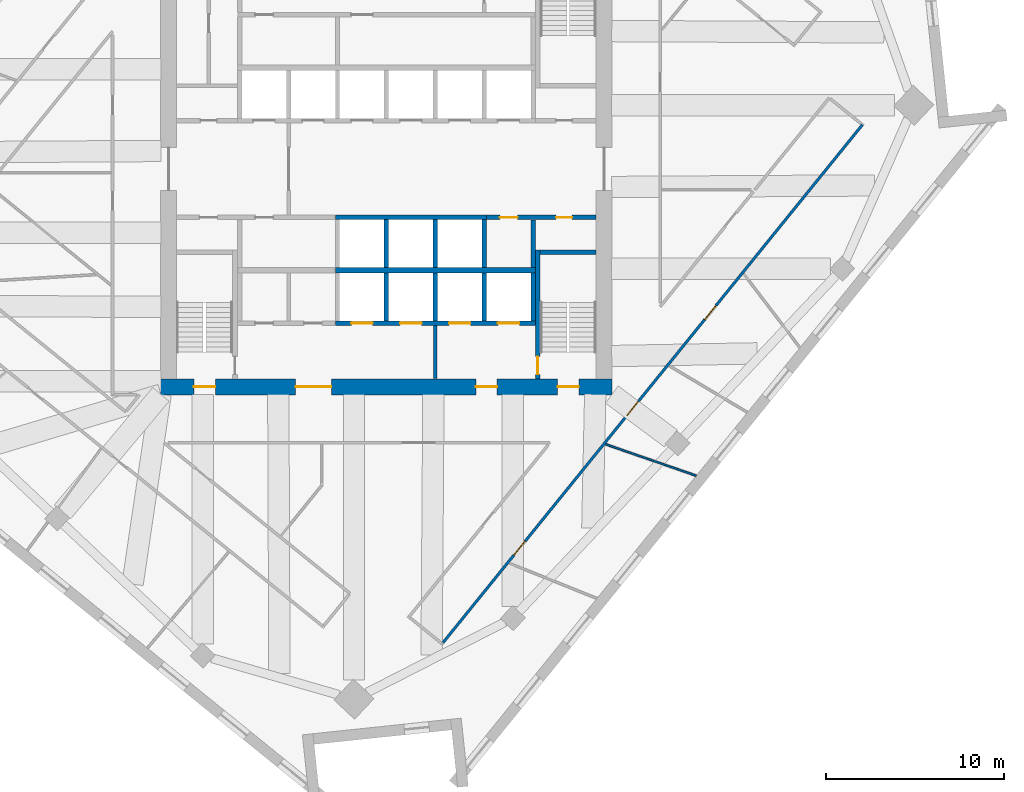
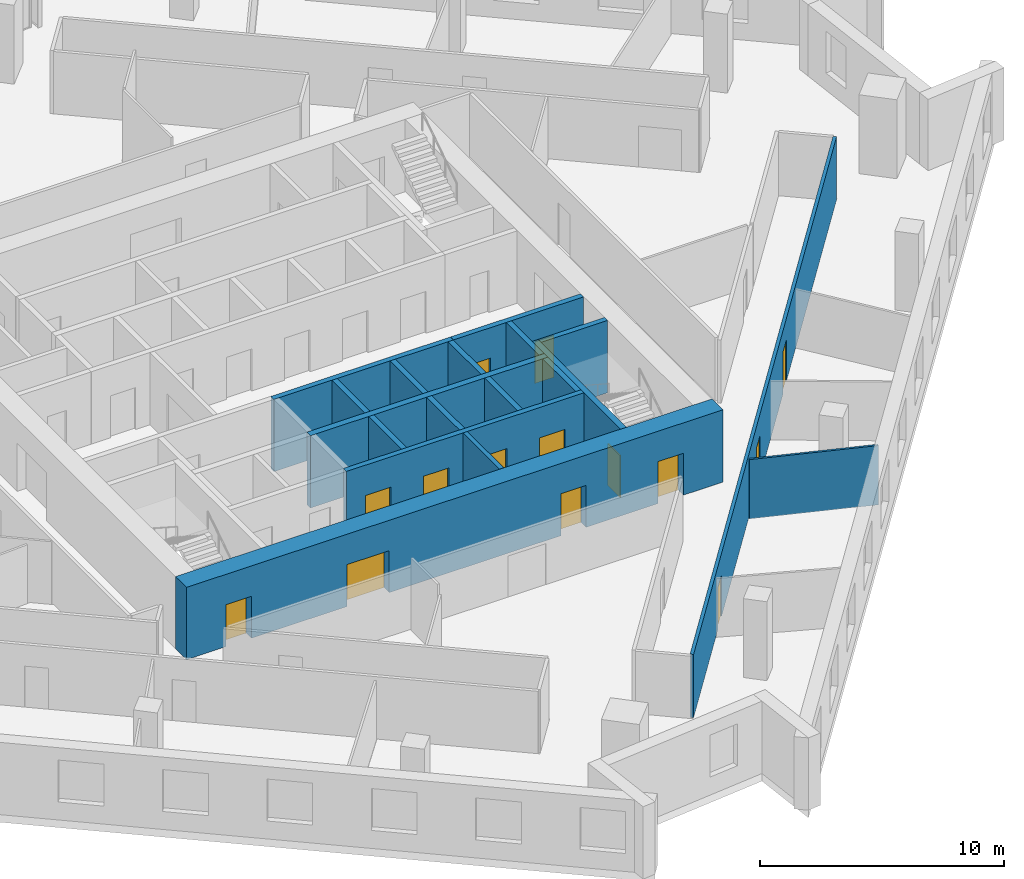
# One storey, part 8 of 14: 18 walls, 14 doors, 14 openings.
"""IFC4 building model written with IfcOpenShell, lengths in metres."""

from ifc_helpers import new_model, si_unit, direction, frame, frame_2d, origin, place, context, subcontext, project, spatial, rectangle, extrude, material, layer, layer_set, type_object, element, fill, save


model = new_model("IFC4")

# Units and contexts
model_context = context("Model", 3, precision=1e-05, world=origin(), true_north=direction((0.0, 1.0)))
body_context = subcontext(model_context, "Body", "Model", "MODEL_VIEW")
ifc_project = project(units=[si_unit("LENGTHUNIT", "METRE"), si_unit("AREAUNIT", "SQUARE_METRE"), si_unit("VOLUMEUNIT", "CUBIC_METRE"), si_unit("PLANEANGLEUNIT", "RADIAN"), si_unit("MASSUNIT", "GRAM", prefix="KILO")], contexts=[model_context])

# Site, building, storey
site_placement = place(None, origin())
site = spatial("IfcSite", under=ifc_project, at=site_placement, CompositionType="ELEMENT")
building_placement = place(site_placement, origin())
building = spatial("IfcBuilding", under=site, at=building_placement, Name="Dilmun Exchange Tower", CompositionType="ELEMENT")
storey_placement = place(building_placement, frame((0.0, 0.0, 233.300048828125)))
storey = spatial("IfcBuildingStorey", under=building, at=storey_placement, Name="L55", CompositionType="ELEMENT", Elevation=233.300048828125)

# Walls
ifc_material_1 = material(Name="Concrete C40/50", Category="concrete")
ifc_layer_1 = layer(ifc_material_1, 0.199951171875)
ifc_layer_set_1 = layer_set([ifc_layer_1], Name="Concrete C40/50")
wall_type_1 = type_object("IfcWallType", Name="Core partition wall 200", PredefinedType="PARTITIONING", material=ifc_layer_set_1)
wall_1_placement = place(storey_placement, frame((2.75, -11.794921875, 0.0), z_axis=(0.0, 0.0, 1.0), x_axis=(0.0, 1.0, 0.0)))
element("IfcWall", 1, at=wall_1_placement, inside=storey, type_object=wall_type_1, Name="L55 core partition wall 01", PredefinedType="PARTITIONING", context=body_context, shape_type="SweptSolid", body=[
    extrude(rectangle(XDim=2.989990234375, YDim=0.199951171875, at=frame_2d((1.4951171875, 0.0))), origin(), (0.0, 0.0, 1.0), 3.619873046875),
])
ifc_layer_2 = layer(ifc_material_1, 0.25)
ifc_layer_set_2 = layer_set([ifc_layer_2], Name="Concrete C40/50")
wall_type_2 = type_object("IfcWallType", Name="Core partition wall 250", PredefinedType="PARTITIONING", material=ifc_layer_set_2)
wall_2_placement = place(storey_placement, frame((8.25, -5.544921875, 0.0), z_axis=(0.0, 0.0, 1.0), x_axis=(0.0, 1.0, 0.0)))
element("IfcWall", 2, at=wall_2_placement, inside=storey, type_object=wall_type_2, Name="L55 core partition wall 07", PredefinedType="PARTITIONING", context=body_context, shape_type="SweptSolid", body=[
    extrude(rectangle(XDim=2.68994140625, YDim=0.25, at=frame_2d((1.344970703125, 0.0))), origin(), (0.0, 0.0, 1.0), 3.619873046875),
])

# Wall, openings, doors
wall_3_placement = place(storey_placement, frame((5.6298828125, -2.72509765625, 0.0), z_axis=(0.0, 0.0, 1.0), x_axis=(1.0, 0.0, 0.0)))
wall_3 = element("IfcWall", 3, at=wall_3_placement, inside=storey, type_object=wall_type_2, Name="L55 core partition wall 09", PredefinedType="PARTITIONING", context=body_context, shape_type="SweptSolid", body=[
    extrude(rectangle(XDim=6.1650390625, YDim=0.25, at=frame_2d((3.08251953125, 0.0))), origin(), (0.0, 0.0, 1.0), 3.619873046875),
])
opening_1_placement = place(wall_3_placement, frame((0.7451171875, 0.0, 0.0)))
opening_1 = element("IfcOpeningElement", 4, at=opening_1_placement, cuts=wall_3, Name="Opening CD4", PredefinedType="OPENING", context=body_context, shape_type="SweptSolid", body=[
    extrude(rectangle(XDim=1.0, YDim=2.10009765625, at=frame_2d((0.5, 1.050048828125))), frame((0.0, 0.135009765625, 0.0), z_axis=(0.0, -1.0, 0.0), x_axis=(1.0, 0.0, 0.0)), (0.0, 0.0, 1.0), 0.27001953125),
])
opening_2_placement = place(wall_3_placement, frame((3.919921875, 0.0, 0.0)))
opening_2 = element("IfcOpeningElement", 5, at=opening_2_placement, cuts=wall_3, Name="Opening CD6", PredefinedType="OPENING", context=body_context, shape_type="SweptSolid", body=[
    extrude(rectangle(XDim=0.89990234375, YDim=2.10009765625, at=frame_2d((0.449951171875, 1.050048828125))), frame((0.0, 0.135009765625, 0.0), z_axis=(0.0, -1.0, 0.0), x_axis=(1.0, 0.0, 0.0)), (0.0, 0.0, 1.0), 0.27001953125),
])
ifc_material_2 = material(Name="Fire-rated steel door set", Category="steel")
door_type_1 = type_object("IfcDoorType", Name="Core room door 1000x2100", OperationType="SINGLE_SWING_LEFT", PredefinedType="DOOR", material=ifc_material_2)
door_1_placement = place(opening_1_placement, origin())
door_1 = element("IfcDoor", 6, at=door_1_placement, inside=storey, type_object=door_type_1, Name="L55 door Cleaners' store", OperationType="SINGLE_SWING_RIGHT", OverallHeight=2.10009765625, OverallWidth=1.0, PredefinedType="DOOR", context=body_context, shape_type="SweptSolid", body=[
    extrude(rectangle(XDim=1.0, YDim=2.10009765625, at=frame_2d((0.5, 1.050048828125))), frame((0.0, 0.02490234375, 0.0), z_axis=(0.0, -1.0, 0.0), x_axis=(1.0, 0.0, 0.0)), (0.0, 0.0, 1.0), 0.050048828125),
])
fill(opening_1, door_1)
door_type_2 = type_object("IfcDoorType", Name="Core room door 900x2100", OperationType="SINGLE_SWING_LEFT", PredefinedType="DOOR", material=ifc_material_2)
door_2_placement = place(opening_2_placement, origin())
door_2 = element("IfcDoor", 7, at=door_2_placement, inside=storey, type_object=door_type_2, Name="L55 door Comms riser", OperationType="SINGLE_SWING_RIGHT", OverallHeight=2.10009765625, OverallWidth=0.89990234375, PredefinedType="DOOR", context=body_context, shape_type="SweptSolid", body=[
    extrude(rectangle(XDim=0.89990234375, YDim=2.10009765625, at=frame_2d((0.449951171875, 1.050048828125))), frame((0.0, 0.02490234375, 0.0), z_axis=(0.0, -1.0, 0.0), x_axis=(1.0, 0.0, 0.0)), (0.0, 0.0, 1.0), 0.050048828125),
])
fill(opening_2, door_2)

ifc_material_3 = material(Name="Concrete C60/75", Category="concrete")
ifc_layer_3 = layer(ifc_material_3, 0.89990234375)
ifc_layer_set_3 = layer_set([ifc_layer_3], Name="Concrete C60/75")
wall_type_3 = type_object("IfcWallType", Name="Core shear wall 900 Concrete C60/75", PredefinedType="SHEAR", material=ifc_layer_set_3)
wall_4_placement = place(storey_placement, frame((-12.699951171875, -12.25, 0.0), z_axis=(0.0, 0.0, 1.0), x_axis=(1.0, 0.0, 0.0)))
wall_4 = element("IfcWall", 8, at=wall_4_placement, inside=storey, type_object=wall_type_3, Name="L55 core shear wall S", PredefinedType="SHEAR", context=body_context, shape_type="SweptSolid", body=[
    extrude(rectangle(XDim=25.39990234375, YDim=0.89990234375, at=frame_2d((12.699951171875, 0.0))), origin(), (0.0, 0.0, 1.0), 3.619873046875),
])
opening_3_placement = place(wall_4_placement, frame((7.60009765625, 0.0, 0.0)))
opening_3 = element("IfcOpeningElement", 9, at=opening_3_placement, cuts=wall_4, Name="Opening CD2", PredefinedType="OPENING", context=body_context, shape_type="SweptSolid", body=[
    extrude(rectangle(XDim=2.0, YDim=2.10009765625, at=frame_2d((1.0, 1.050048828125))), frame((0.0, 0.4599609375, 0.0), z_axis=(0.0, -1.0, 0.0), x_axis=(1.0, 0.0, 0.0)), (0.0, 0.0, 1.0), 0.919921875),
])
opening_4_placement = place(wall_4_placement, frame((17.72509765625, 0.0, 0.0)))
opening_4 = element("IfcOpeningElement", 10, at=opening_4_placement, cuts=wall_4, Name="Opening CD3", PredefinedType="OPENING", context=body_context, shape_type="SweptSolid", body=[
    extrude(rectangle(XDim=1.199951171875, YDim=2.10009765625, at=frame_2d((0.60009765625, 1.050048828125))), frame((0.0, 0.4599609375, 0.0), z_axis=(0.0, -1.0, 0.0), x_axis=(1.0, 0.0, 0.0)), (0.0, 0.0, 1.0), 0.919921875),
])
opening_5_placement = place(wall_4_placement, frame((1.875, 0.0, 0.0)))
opening_5 = element("IfcOpeningElement", 11, at=opening_5_placement, cuts=wall_4, Name="Opening CD3", PredefinedType="OPENING", context=body_context, shape_type="SweptSolid", body=[
    extrude(rectangle(XDim=1.199951171875, YDim=2.10009765625, at=frame_2d((0.60009765625, 1.050048828125))), frame((0.0, 0.4599609375, 0.0), z_axis=(0.0, -1.0, 0.0), x_axis=(1.0, 0.0, 0.0)), (0.0, 0.0, 1.0), 0.919921875),
])
opening_6_placement = place(wall_4_placement, frame((22.324951171875, 0.0, 0.0)))
opening_6 = element("IfcOpeningElement", 12, at=opening_6_placement, cuts=wall_4, Name="Opening CD3", PredefinedType="OPENING", context=body_context, shape_type="SweptSolid", body=[
    extrude(rectangle(XDim=1.199951171875, YDim=2.10009765625, at=frame_2d((0.60009765625, 1.050048828125))), frame((0.0, 0.4599609375, 0.0), z_axis=(0.0, -1.0, 0.0), x_axis=(1.0, 0.0, 0.0)), (0.0, 0.0, 1.0), 0.919921875),
])
door_type_3 = type_object("IfcDoorType", Name="Core service door 2000x2100", OperationType="DOUBLE_DOOR_DOUBLE_SWING", PredefinedType="DOOR", material=ifc_material_2)
door_3_placement = place(opening_3_placement, origin())
door_3 = element("IfcDoor", 13, at=door_3_placement, inside=storey, type_object=door_type_3, Name="L55 door South service lobby", OperationType="SINGLE_SWING_LEFT", OverallHeight=2.10009765625, OverallWidth=2.0, PredefinedType="DOOR", context=body_context, shape_type="SweptSolid", body=[
    extrude(rectangle(XDim=2.0, YDim=2.10009765625, at=frame_2d((1.0, 1.050048828125))), frame((0.0, 0.02490234375, 0.0), z_axis=(0.0, -1.0, 0.0), x_axis=(1.0, 0.0, 0.0)), (0.0, 0.0, 1.0), 0.050048828125),
])
fill(opening_3, door_3)
door_type_4 = type_object("IfcDoorType", Name="Stair exit door 1200x2100", OperationType="SINGLE_SWING_LEFT", PredefinedType="DOOR", material=ifc_material_2)
door_4_placement = place(opening_4_placement, origin())
door_4 = element("IfcDoor", 14, at=door_4_placement, inside=storey, type_object=door_type_4, Name="L55 door Fire-fighting lobby", OperationType="SINGLE_SWING_LEFT", OverallHeight=2.10009765625, OverallWidth=1.199951171875, PredefinedType="DOOR", context=body_context, shape_type="SweptSolid", body=[
    extrude(rectangle(XDim=1.199951171875, YDim=2.10009765625, at=frame_2d((0.60009765625, 1.050048828125))), frame((0.0, 0.02490234375, 0.0), z_axis=(0.0, -1.0, 0.0), x_axis=(1.0, 0.0, 0.0)), (0.0, 0.0, 1.0), 0.050048828125),
])
fill(opening_4, door_4)
door_5_placement = place(opening_5_placement, origin())
door_5 = element("IfcDoor", 15, at=door_5_placement, inside=storey, type_object=door_type_4, Name="L55 door Stair ST2", OperationType="SINGLE_SWING_LEFT", OverallHeight=2.10009765625, OverallWidth=1.199951171875, PredefinedType="DOOR", context=body_context, shape_type="SweptSolid", body=[
    extrude(rectangle(XDim=1.199951171875, YDim=2.10009765625, at=frame_2d((0.60009765625, 1.050048828125))), frame((0.0, 0.02490234375, 0.0), z_axis=(0.0, -1.0, 0.0), x_axis=(1.0, 0.0, 0.0)), (0.0, 0.0, 1.0), 0.050048828125),
])
fill(opening_5, door_5)
door_6_placement = place(opening_6_placement, origin())
door_6 = element("IfcDoor", 16, at=door_6_placement, inside=storey, type_object=door_type_4, Name="L55 door Stair ST3", OperationType="SINGLE_SWING_LEFT", OverallHeight=2.10009765625, OverallWidth=1.199951171875, PredefinedType="DOOR", context=body_context, shape_type="SweptSolid", body=[
    extrude(rectangle(XDim=1.199951171875, YDim=2.10009765625, at=frame_2d((0.60009765625, 1.050048828125))), frame((0.0, 0.02490234375, 0.0), z_axis=(0.0, -1.0, 0.0), x_axis=(1.0, 0.0, 0.0)), (0.0, 0.0, 1.0), 0.050048828125),
])
fill(opening_6, door_6)

ifc_material_4 = material(Name="Corridor wall 150")
ifc_layer_4 = layer(ifc_material_4, 0.14990234375)
ifc_layer_set_4 = layer_set([ifc_layer_4], Name="Corridor wall 150")
wall_type_4 = type_object("IfcWallType", Name="Corridor wall 150", PredefinedType="PARTITIONING", material=ifc_layer_set_4)
wall_5_placement = place(storey_placement, frame((3.18017578125, -26.642578125, 0.0), z_axis=(0.0, 0.0, 1.0), x_axis=(0.629322822444, 0.777143992547, 0.0)))
wall_5 = element("IfcWall", 17, at=wall_5_placement, inside=storey, type_object=wall_type_4, Name="Corridor wall", PredefinedType="PARTITIONING", context=body_context, shape_type="SweptSolid", body=[
    extrude(rectangle(XDim=37.48291015625, YDim=0.14990234375, at=frame_2d((18.741455078125, 0.0))), origin(), (0.0, 0.0, 1.0), 3.169921875),
])
opening_7_placement = place(wall_5_placement, frame((6.346435546875, 0.0, 0.0)))
opening_7 = element("IfcOpeningElement", 18, at=opening_7_placement, cuts=wall_5, Name="Opening TF53-D16", PredefinedType="OPENING", context=body_context, shape_type="SweptSolid", body=[
    extrude(rectangle(XDim=1.0, YDim=2.10009765625, at=frame_2d((0.5, 1.050048828125))), frame((0.0, 0.0849609375, 0.0), z_axis=(0.0, -1.0, 0.0), x_axis=(1.0, 0.0, 0.0)), (0.0, 0.0, 1.0), 0.169921875),
])
opening_8_placement = place(wall_5_placement, frame((16.4521484375, 0.0, 0.0)))
opening_8 = element("IfcOpeningElement", 19, at=opening_8_placement, cuts=wall_5, Name="Opening TF53-D19", PredefinedType="OPENING", context=body_context, shape_type="SweptSolid", body=[
    extrude(rectangle(XDim=1.0, YDim=2.10009765625, at=frame_2d((0.5, 1.050048828125))), frame((0.0, 0.0849609375, 0.0), z_axis=(0.0, -1.0, 0.0), x_axis=(1.0, 0.0, 0.0)), (0.0, 0.0, 1.0), 0.169921875),
])
opening_9_placement = place(wall_5_placement, frame((23.399658203125, 0.0, 0.0)))
opening_9 = element("IfcOpeningElement", 20, at=opening_9_placement, cuts=wall_5, Name="Opening TF53-D21", PredefinedType="OPENING", context=body_context, shape_type="SweptSolid", body=[
    extrude(rectangle(XDim=1.0, YDim=2.10009765625, at=frame_2d((0.5, 1.050048828125))), frame((0.0, 0.0849609375, 0.0), z_axis=(0.0, -1.0, 0.0), x_axis=(1.0, 0.0, 0.0)), (0.0, 0.0, 1.0), 0.169921875),
])
ifc_material_5 = material(Name="Fire door 1000 x 2100")
door_type_5 = type_object("IfcDoorType", Name="Fire door 1000 x 2100", OperationType="NOTDEFINED", PredefinedType="DOOR", material=ifc_material_5)
door_7_placement = place(opening_7_placement, frame((1.0, 0.0, 0.0), z_axis=(0.0, 0.0, 1.0), x_axis=(-1.0, 0.0, 0.0)))
door_7 = element("IfcDoor", 21, at=door_7_placement, inside=storey, type_object=door_type_5, Name="Door TF53-D16", OperationType="SINGLE_SWING_RIGHT", OverallHeight=2.10009765625, OverallWidth=1.0, PredefinedType="DOOR", context=body_context, shape_type="SweptSolid", body=[
    extrude(rectangle(XDim=1.0, YDim=2.10009765625, at=frame_2d((0.5, 1.050048828125))), frame((0.0, 0.02490234375, 0.0), z_axis=(0.0, -1.0, 0.0), x_axis=(1.0, 0.0, 0.0)), (0.0, 0.0, 1.0), 0.050048828125),
])
fill(opening_7, door_7)
door_8_placement = place(opening_8_placement, frame((1.0, 0.0, 0.0), z_axis=(0.0, 0.0, 1.0), x_axis=(-1.0, 0.0, 0.0)))
door_8 = element("IfcDoor", 22, at=door_8_placement, inside=storey, type_object=door_type_5, Name="Door TF53-D19", OperationType="SINGLE_SWING_RIGHT", OverallHeight=2.10009765625, OverallWidth=1.0, PredefinedType="DOOR", context=body_context, shape_type="SweptSolid", body=[
    extrude(rectangle(XDim=1.0, YDim=2.10009765625, at=frame_2d((0.5, 1.050048828125))), frame((0.0, 0.02490234375, 0.0), z_axis=(0.0, -1.0, 0.0), x_axis=(1.0, 0.0, 0.0)), (0.0, 0.0, 1.0), 0.050048828125),
])
fill(opening_8, door_8)
door_9_placement = place(opening_9_placement, frame((1.0, 0.0, 0.0), z_axis=(0.0, 0.0, 1.0), x_axis=(-1.0, 0.0, 0.0)))
door_9 = element("IfcDoor", 23, at=door_9_placement, inside=storey, type_object=door_type_5, Name="Door TF53-D21", OperationType="SINGLE_SWING_LEFT", OverallHeight=2.10009765625, OverallWidth=1.0, PredefinedType="DOOR", context=body_context, shape_type="SweptSolid", body=[
    extrude(rectangle(XDim=1.0, YDim=2.10009765625, at=frame_2d((0.5, 1.050048828125))), frame((0.0, 0.02490234375, 0.0), z_axis=(0.0, -1.0, 0.0), x_axis=(1.0, 0.0, 0.0)), (0.0, 0.0, 1.0), 0.050048828125),
])
fill(opening_9, door_9)

# Walls
ifc_layer_5 = layer(ifc_material_1, 0.300048828125)
ifc_layer_set_5 = layer_set([ifc_layer_5], Name="Concrete C40/50")
wall_type_5 = type_object("IfcWallType", Name="Lift shaft shared wall 300", PredefinedType="SOLIDWALL", material=ifc_layer_set_5)
wall_6_placement = place(storey_placement, frame((-2.875, -5.699951171875, 0.0), z_axis=(0.0, 0.0, 1.0), x_axis=(1.0, 0.0, 0.0)))
element("IfcWall", 24, at=wall_6_placement, inside=storey, type_object=wall_type_5, Name="L55 lift shaft rear wall S", PredefinedType="SOLIDWALL", context=body_context, shape_type="SweptSolid", body=[
    extrude(rectangle(XDim=11.25, YDim=0.300048828125, at=frame_2d((5.625, 0.0))), origin(), (0.0, 0.0, 1.0), 3.619873046875),
])
ifc_layer_6 = layer(ifc_material_1, 0.25)
ifc_layer_set_6 = layer_set([ifc_layer_6], Name="Concrete C40/50")
wall_type_6 = type_object("IfcWallType", Name="Lift shaft wall 250", PredefinedType="SOLIDWALL", material=ifc_layer_set_6)
wall_7_placement = place(storey_placement, frame((-2.875, -2.72509765625, 0.0), z_axis=(0.0, 0.0, 1.0), x_axis=(1.0, 0.0, 0.0)))
element("IfcWall", 25, at=wall_7_placement, inside=storey, type_object=wall_type_6, Name="L55 lift shaft front wall S1", PredefinedType="SOLIDWALL", context=body_context, shape_type="SweptSolid", body=[
    extrude(rectangle(XDim=8.5, YDim=0.25, at=frame_2d((4.25, 0.0))), origin(), (0.0, 0.0, 1.0), 3.619873046875),
])
for number, where, z_axis, x_axis, name in (
    (26, (0.0, -5.550048828125, 0.0), (0.0, 0.0, 1.0), (0.0, 1.0, 0.0), "L55 lift shaft divider S13"),
    (27, (2.75, -5.550048828125, 0.0), (0.0, 0.0, 1.0), (0.0, 1.0, 0.0), "L55 lift shaft divider S14"),
    (28, (5.5, -5.550048828125, 0.0), (0.0, 0.0, 1.0), (0.0, 1.0, 0.0), "L55 lift shaft divider S15"),
):
    element("IfcWall", number, at=place(storey_placement, frame(where, z_axis=z_axis, x_axis=x_axis)), inside=storey, type_object=wall_type_6, Name=name, PredefinedType="SOLIDWALL", context=body_context, shape_type="SweptSolid", body=[
        extrude(rectangle(XDim=2.699951171875, YDim=0.25, at=frame_2d((1.35009765625, 0.0))), origin(), (0.0, 0.0, 1.0), 3.619873046875),
    ])

# Wall, openings, doors
wall_8_placement = place(storey_placement, frame((-2.875, -8.675048828125, 0.0), z_axis=(0.0, 0.0, 1.0), x_axis=(1.0, 0.0, 0.0)))
wall_8 = element("IfcWall", 29, at=wall_8_placement, inside=storey, type_object=wall_type_6, Name="L55 lift shaft front wall S2", PredefinedType="SOLIDWALL", context=body_context, shape_type="SweptSolid", body=[
    extrude(rectangle(XDim=11.25, YDim=0.25, at=frame_2d((5.625, 0.0))), origin(), (0.0, 0.0, 1.0), 3.619873046875),
])
opening_10_placement = place(wall_8_placement, frame((0.89990234375, 0.0, 0.0)))
opening_10 = element("IfcOpeningElement", 30, at=opening_10_placement, cuts=wall_8, Name="Opening LD", PredefinedType="OPENING", context=body_context, shape_type="SweptSolid", body=[
    extrude(rectangle(XDim=1.199951171875, YDim=2.10009765625, at=frame_2d((0.60009765625, 1.050048828125))), frame((0.0, 0.135009765625, 0.0), z_axis=(0.0, -1.0, 0.0), x_axis=(1.0, 0.0, 0.0)), (0.0, 0.0, 1.0), 0.27001953125),
])
opening_11_placement = place(wall_8_placement, frame((3.64990234375, 0.0, 0.0)))
opening_11 = element("IfcOpeningElement", 31, at=opening_11_placement, cuts=wall_8, Name="Opening LD", PredefinedType="OPENING", context=body_context, shape_type="SweptSolid", body=[
    extrude(rectangle(XDim=1.199951171875, YDim=2.10009765625, at=frame_2d((0.60009765625, 1.050048828125))), frame((0.0, 0.135009765625, 0.0), z_axis=(0.0, -1.0, 0.0), x_axis=(1.0, 0.0, 0.0)), (0.0, 0.0, 1.0), 0.27001953125),
])
opening_12_placement = place(wall_8_placement, frame((6.39990234375, 0.0, 0.0)))
opening_12 = element("IfcOpeningElement", 32, at=opening_12_placement, cuts=wall_8, Name="Opening LD", PredefinedType="OPENING", context=body_context, shape_type="SweptSolid", body=[
    extrude(rectangle(XDim=1.199951171875, YDim=2.10009765625, at=frame_2d((0.60009765625, 1.050048828125))), frame((0.0, 0.135009765625, 0.0), z_axis=(0.0, -1.0, 0.0), x_axis=(1.0, 0.0, 0.0)), (0.0, 0.0, 1.0), 0.27001953125),
])
opening_13_placement = place(wall_8_placement, frame((9.14990234375, 0.0, 0.0)))
opening_13 = element("IfcOpeningElement", 33, at=opening_13_placement, cuts=wall_8, Name="Opening LD", PredefinedType="OPENING", context=body_context, shape_type="SweptSolid", body=[
    extrude(rectangle(XDim=1.199951171875, YDim=2.10009765625, at=frame_2d((0.60009765625, 1.050048828125))), frame((0.0, 0.135009765625, 0.0), z_axis=(0.0, -1.0, 0.0), x_axis=(1.0, 0.0, 0.0)), (0.0, 0.0, 1.0), 0.27001953125),
])
door_type_6 = type_object("IfcDoorType", Name="Lift landing door 1200x2100", OperationType="DOUBLE_DOOR_SLIDING", PredefinedType="DOOR", material=ifc_material_2)
door_10_placement = place(opening_10_placement, origin())
door_10 = element("IfcDoor", 34, at=door_10_placement, inside=storey, type_object=door_type_6, Name="L55 landing door SV1", OperationType="DOUBLE_DOOR_SLIDING", OverallHeight=2.10009765625, OverallWidth=1.199951171875, PredefinedType="DOOR", context=body_context, shape_type="SweptSolid", body=[
    extrude(rectangle(XDim=1.199951171875, YDim=2.10009765625, at=frame_2d((0.60009765625, 1.050048828125))), frame((0.0, 0.02490234375, 0.0), z_axis=(0.0, -1.0, 0.0), x_axis=(1.0, 0.0, 0.0)), (0.0, 0.0, 1.0), 0.050048828125),
])
fill(opening_10, door_10)
door_11_placement = place(opening_11_placement, origin())
door_11 = element("IfcDoor", 35, at=door_11_placement, inside=storey, type_object=door_type_6, Name="L55 landing door SV2", OperationType="DOUBLE_DOOR_SLIDING", OverallHeight=2.10009765625, OverallWidth=1.199951171875, PredefinedType="DOOR", context=body_context, shape_type="SweptSolid", body=[
    extrude(rectangle(XDim=1.199951171875, YDim=2.10009765625, at=frame_2d((0.60009765625, 1.050048828125))), frame((0.0, 0.02490234375, 0.0), z_axis=(0.0, -1.0, 0.0), x_axis=(1.0, 0.0, 0.0)), (0.0, 0.0, 1.0), 0.050048828125),
])
fill(opening_11, door_11)
door_12_placement = place(opening_12_placement, origin())
door_12 = element("IfcDoor", 36, at=door_12_placement, inside=storey, type_object=door_type_6, Name="L55 landing door FF1", OperationType="DOUBLE_DOOR_SLIDING", OverallHeight=2.10009765625, OverallWidth=1.199951171875, PredefinedType="DOOR", context=body_context, shape_type="SweptSolid", body=[
    extrude(rectangle(XDim=1.199951171875, YDim=2.10009765625, at=frame_2d((0.60009765625, 1.050048828125))), frame((0.0, 0.02490234375, 0.0), z_axis=(0.0, -1.0, 0.0), x_axis=(1.0, 0.0, 0.0)), (0.0, 0.0, 1.0), 0.050048828125),
])
fill(opening_12, door_12)
door_13_placement = place(opening_13_placement, origin())
door_13 = element("IfcDoor", 37, at=door_13_placement, inside=storey, type_object=door_type_6, Name="L55 landing door FF2", OperationType="DOUBLE_DOOR_SLIDING", OverallHeight=2.10009765625, OverallWidth=1.199951171875, PredefinedType="DOOR", context=body_context, shape_type="SweptSolid", body=[
    extrude(rectangle(XDim=1.199951171875, YDim=2.10009765625, at=frame_2d((0.60009765625, 1.050048828125))), frame((0.0, 0.02490234375, 0.0), z_axis=(0.0, -1.0, 0.0), x_axis=(1.0, 0.0, 0.0)), (0.0, 0.0, 1.0), 0.050048828125),
])
fill(opening_13, door_13)

# Walls
for number, where, z_axis, x_axis, name in (
    (38, (0.0, -8.550048828125, 0.0), (0.0, 0.0, 1.0), (0.0, 1.0, 0.0), "L55 lift shaft divider S23"),
    (39, (2.75, -8.550048828125, 0.0), (0.0, 0.0, 1.0), (0.0, 1.0, 0.0), "L55 lift shaft divider S24"),
    (40, (5.5, -8.550048828125, 0.0), (0.0, 0.0, 1.0), (0.0, 1.0, 0.0), "L55 lift shaft divider S25"),
    (41, (8.25, -8.550048828125, 0.0), (0.0, 0.0, 1.0), (0.0, 1.0, 0.0), "L55 lift shaft divider S26"),
):
    element("IfcWall", number, at=place(storey_placement, frame(where, z_axis=z_axis, x_axis=x_axis)), inside=storey, type_object=wall_type_6, Name=name, PredefinedType="SOLIDWALL", context=body_context, shape_type="SweptSolid", body=[
        extrude(rectangle(XDim=2.699951171875, YDim=0.25, at=frame_2d((1.35009765625, 0.0))), origin(), (0.0, 0.0, 1.0), 3.619873046875),
    ])
ifc_material_6 = material(Name="Partition 100")
ifc_layer_7 = layer(ifc_material_6, 0.10009765625)
ifc_layer_set_7 = layer_set([ifc_layer_7], Name="Partition 100")
wall_type_7 = type_object("IfcWallType", Name="Partition 100", PredefinedType="PARTITIONING", material=ifc_layer_set_7)
wall_9_placement = place(storey_placement, frame((12.33642578125, -15.482177734375, 0.0), z_axis=(0.0, 0.0, 1.0), x_axis=(0.94462938415, -0.328139187845, 0.0)))
element("IfcWall", 42, at=wall_9_placement, inside=storey, type_object=wall_type_7, Name="Partition", PredefinedType="PARTITIONING", context=body_context, shape_type="SweptSolid", body=[
    extrude(rectangle(XDim=5.387451171875, YDim=0.10009765625, at=frame_2d((2.69384765625, 0.0))), origin(), (0.0, 0.0, 1.0), 2.969970703125),
])
ifc_layer_8 = layer(ifc_material_1, 0.25)
ifc_layer_set_8 = layer_set([ifc_layer_8], Name="Concrete C40/50")
wall_type_8 = type_object("IfcWallType", Name="Stair end wall 250", PredefinedType="SOLIDWALL", material=ifc_layer_set_8)
wall_10_placement = place(storey_placement, frame((8.64990234375, -4.675048828125, 0.0), z_axis=(0.0, 0.0, 1.0), x_axis=(1.0, 0.0, 0.0)))
element("IfcWall", 43, at=wall_10_placement, inside=storey, type_object=wall_type_8, Name="L55 ST3 far wall", PredefinedType="SOLIDWALL", context=body_context, shape_type="SweptSolid", body=[
    extrude(rectangle(XDim=3.150146484375, YDim=0.25, at=frame_2d((1.5751953125, 0.0))), origin(), (0.0, 0.0, 1.0), 3.619873046875),
])

# Wall, opening, door
ifc_layer_9 = layer(ifc_material_1, 0.27490234375)
ifc_layer_set_9 = layer_set([ifc_layer_9], Name="Concrete C40/50")
wall_type_9 = type_object("IfcWallType", Name="Stair wall 275", PredefinedType="SOLIDWALL", material=ifc_layer_set_9)
wall_11_placement = place(storey_placement, frame((8.512451171875, -4.550048828125, 0.0), z_axis=(0.0, 0.0, 1.0), x_axis=(0.0, -1.0, 0.0)))
wall_11 = element("IfcWall", 44, at=wall_11_placement, inside=storey, type_object=wall_type_9, Name="L55 ST3 wall to lift block", PredefinedType="SOLIDWALL", context=body_context, shape_type="SweptSolid", body=[
    extrude(rectangle(XDim=7.25, YDim=0.27490234375, at=frame_2d((3.625, 0.0))), origin(), (0.0, 0.0, 1.0), 3.619873046875),
])
opening_14_placement = place(wall_11_placement, frame((6.0, 0.0, 0.0)))
opening_14 = element("IfcOpeningElement", 45, at=opening_14_placement, cuts=wall_11, Name="Opening CD4", PredefinedType="OPENING", context=body_context, shape_type="SweptSolid", body=[
    extrude(rectangle(XDim=1.0, YDim=2.10009765625, at=frame_2d((0.5, 1.050048828125))), frame((0.0, 0.1474609375, 0.0), z_axis=(0.0, -1.0, 0.0), x_axis=(1.0, 0.0, 0.0)), (0.0, 0.0, 1.0), 0.294921875),
])
door_14_placement = place(opening_14_placement, origin())
door_14 = element("IfcDoor", 46, at=door_14_placement, inside=storey, type_object=door_type_1, Name="L55 door ST3 from lobby", OperationType="SINGLE_SWING_LEFT", OverallHeight=2.10009765625, OverallWidth=1.0, PredefinedType="DOOR", context=body_context, shape_type="SweptSolid", body=[
    extrude(rectangle(XDim=1.0, YDim=2.10009765625, at=frame_2d((0.5, 1.050048828125))), frame((0.0, 0.02490234375, 0.0), z_axis=(0.0, -1.0, 0.0), x_axis=(1.0, 0.0, 0.0)), (0.0, 0.0, 1.0), 0.050048828125),
])
fill(opening_14, door_14)

save(model, "model.ifc")
